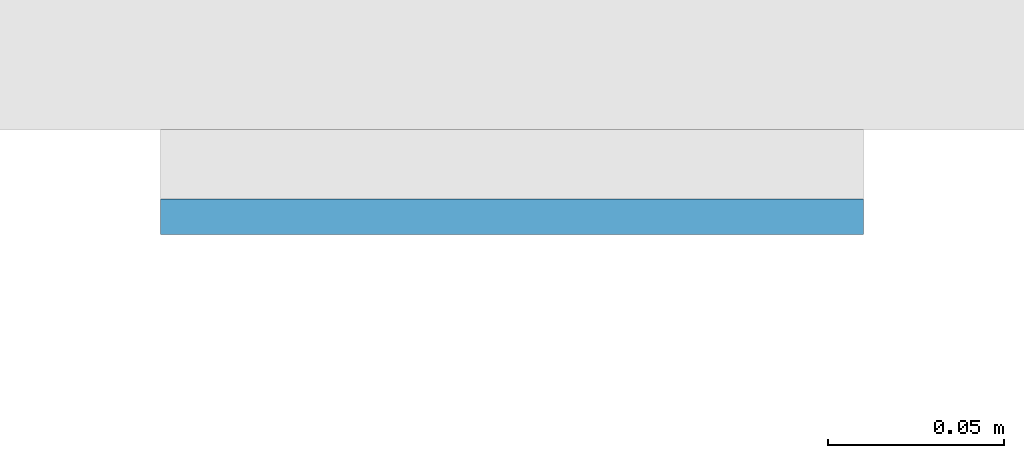
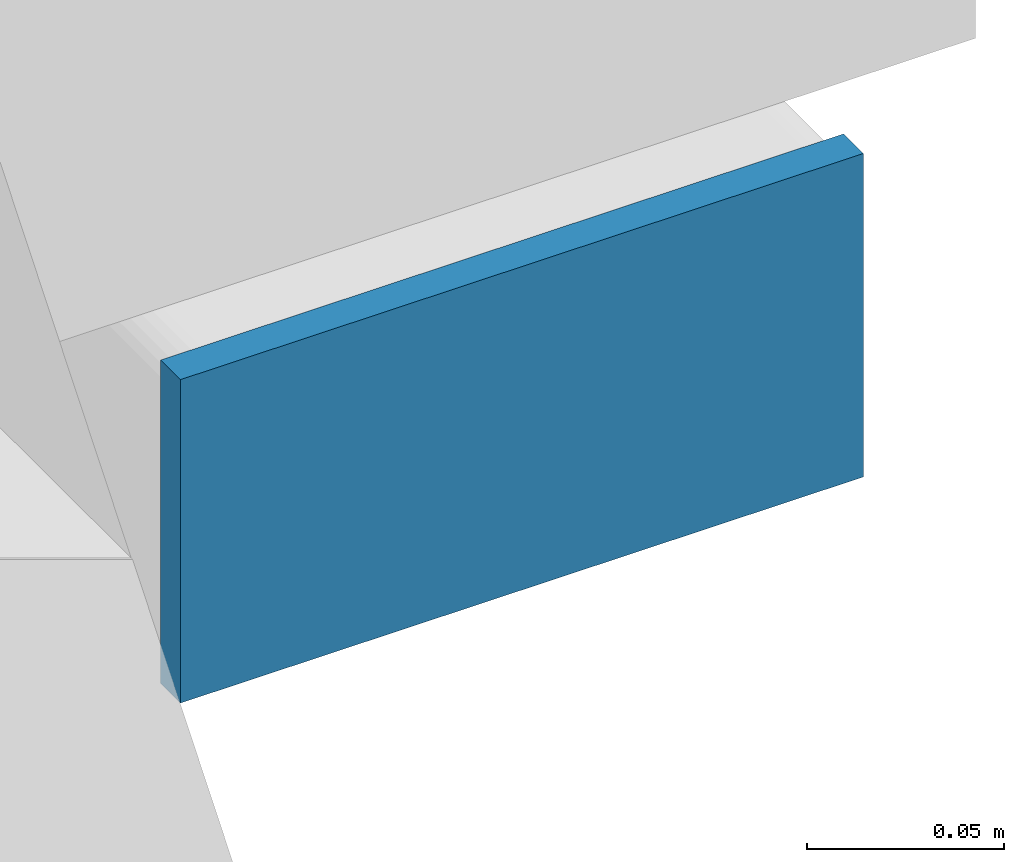
# One storey, part 10 of 21: 1 plate.
"""IFC4 building model written with IfcOpenShell, lengths in metres."""

from ifc_helpers import new_model, si_unit, direction, frame, origin, origin_2d, place, context, subcontext, project, spatial, rectangle, extrude, material, layer, layer_set, type_object, element, save


model = new_model("IFC4")

# Units and contexts
model_context = context("Model", 3, precision=1e-05, world=origin(), true_north=direction((0.0, 1.0)))
body_context = subcontext(model_context, "Body", "Model", "MODEL_VIEW")
ifc_project = project(units=[si_unit("LENGTHUNIT", "METRE"), si_unit("AREAUNIT", "SQUARE_METRE"), si_unit("VOLUMEUNIT", "CUBIC_METRE"), si_unit("PLANEANGLEUNIT", "RADIAN"), si_unit("MASSUNIT", "GRAM", prefix="KILO")], contexts=[model_context])

# Site, building, storey
site_placement = place(None, origin())
site = spatial("IfcSite", under=ifc_project, at=site_placement, CompositionType="ELEMENT")
building_placement = place(site_placement, origin())
building = spatial("IfcBuilding", under=site, at=building_placement, Name="Cleftline Residences", CompositionType="ELEMENT")
storey_placement = place(building_placement, frame((0.0, 0.0, 65.60009765625)))
storey = spatial("IfcBuildingStorey", under=building, at=storey_placement, Name="L16", CompositionType="ELEMENT", Elevation=65.60009765625)

# Plate
ifc_material = material(Name="Steel S355, hot-dip galvanised", Category="steel")
ifc_layer = layer(ifc_material, 0.010009765625)
ifc_layer_set = layer_set([ifc_layer], Name="BAGUETTE CARRIER END PLATE 200X100X10")
plate_type = type_object("IfcPlateType", Name="BAGUETTE CARRIER END PLATE 200X100X10", PredefinedType="USERDEFINED", material=ifc_layer_set)
plate_placement = place(storey_placement, frame((66.85009765625, 3.695068359375, -0.10009765625), z_axis=(0.0, 0.0, 1.0), x_axis=(1.0, 0.0, 0.0)))
element("IfcPlate", 1, at=plate_placement, inside=storey, type_object=plate_type, Name="Baguette carrier end plate", ObjectType="BAGUETTE CARRIER END PLATE", PredefinedType="USERDEFINED", context=body_context, shape_type="SweptSolid", body=[
    extrude(rectangle(XDim=0.199951171875, YDim=0.010009765625, at=origin_2d()), origin(), (0.0, 0.0, 1.0), 0.10009765625),
])

save(model, "model.ifc")
